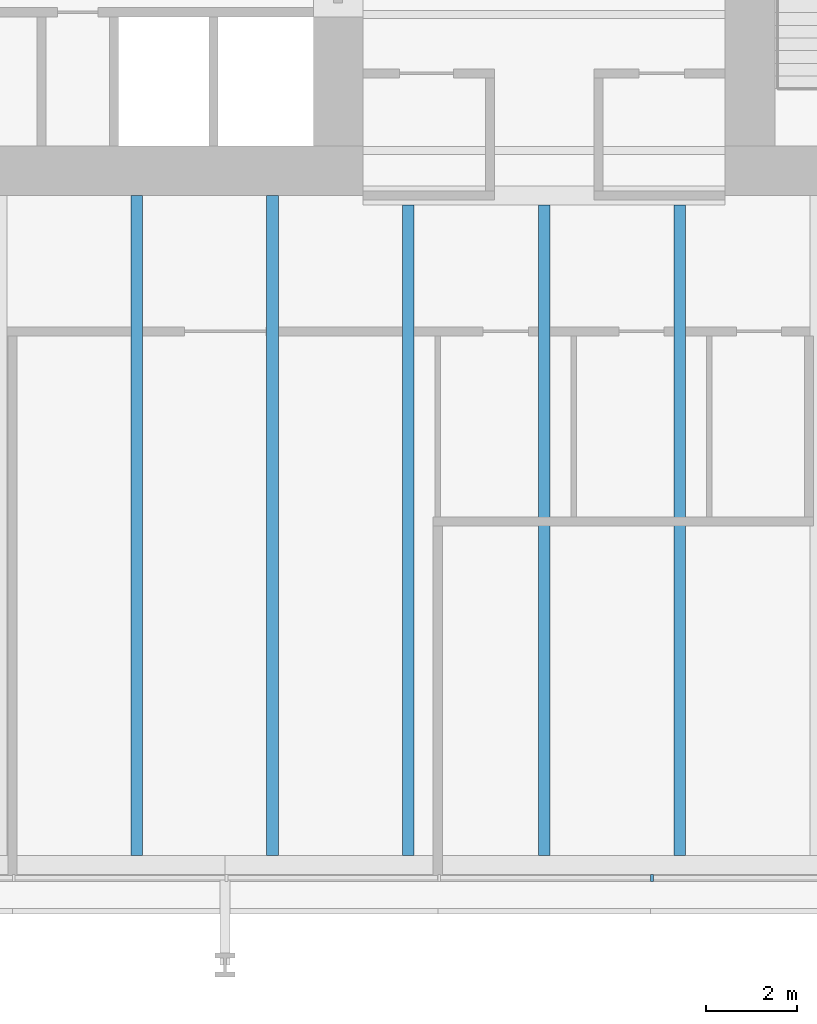
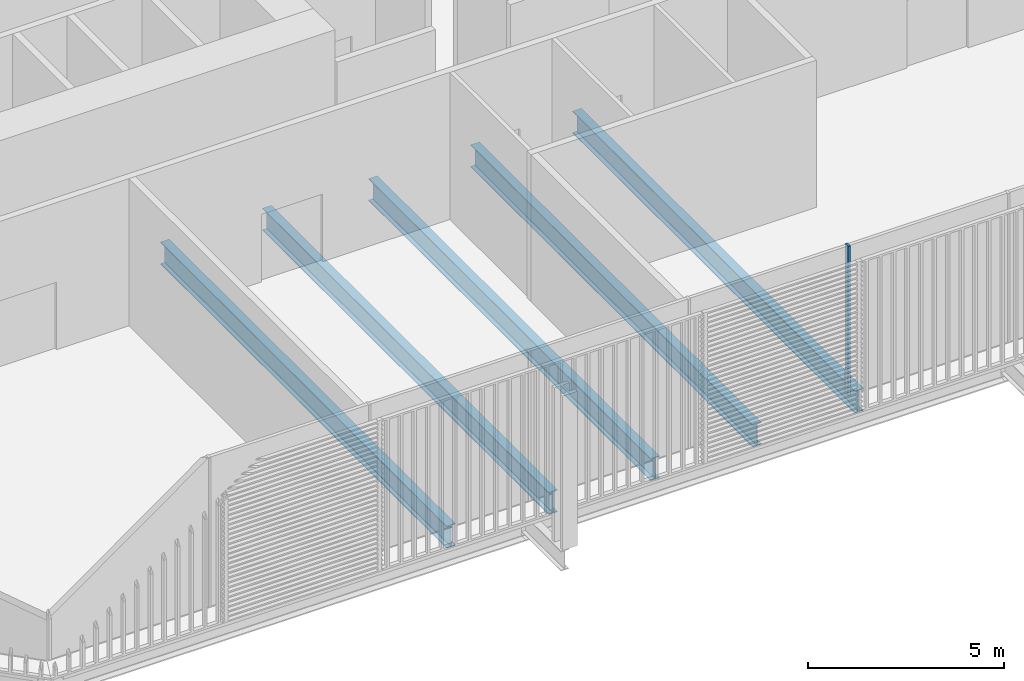
# One storey, part 4 of 22: 5 beams, 1 member, 1 element without a shape of its own.
"""IFC4 building model written with IfcOpenShell, lengths in metres."""

from ifc_helpers import new_model, si_unit, direction, frame, origin, origin_2d, place, context, subcontext, project, spatial, rectangle, i_section, extrude, material, layer, layer_set, material_profile, profile_set, type_object, element, aggregate, save


model = new_model("IFC4")

# Units and contexts
model_context = context("Model", 3, precision=1e-05, world=origin(), true_north=direction((0.0, 1.0)))
body_context = subcontext(model_context, "Body", "Model", "MODEL_VIEW")
ifc_project = project(units=[si_unit("LENGTHUNIT", "METRE"), si_unit("AREAUNIT", "SQUARE_METRE"), si_unit("VOLUMEUNIT", "CUBIC_METRE"), si_unit("PLANEANGLEUNIT", "RADIAN"), si_unit("MASSUNIT", "GRAM", prefix="KILO")], contexts=[model_context])

# Site, building, storey
site_placement = place(None, origin())
site = spatial("IfcSite", under=ifc_project, at=site_placement, CompositionType="ELEMENT")
building_placement = place(site_placement, origin())
building = spatial("IfcBuilding", under=site, at=building_placement, Name="Millrace Tower", CompositionType="ELEMENT")
storey_placement = place(building_placement, frame((0.0, 0.0, 25.699951171875)))
storey = spatial("IfcBuildingStorey", under=building, at=storey_placement, Name="L06", CompositionType="ELEMENT", Elevation=25.699951171875)

# Curtain wall, member
ifc_material_1 = material(Name="Aluminium and glass", Category="aluminium")
ifc_layer = layer(ifc_material_1, 0.14990234375)
ifc_layer_set = layer_set([ifc_layer], Name="Aluminium and glass")
curtain_wall_type = type_object("IfcCurtainWallType", Name="CW-2 data hall insulated curtain wall", PredefinedType="NOTDEFINED", material=ifc_layer_set)
curtain_wall_placement = place(storey_placement, origin())
curtain_wall = element("IfcCurtainWall", 1, at=curtain_wall_placement, inside=storey, type_object=curtain_wall_type, Name="Curtain wall A-F02 L06", PredefinedType="NOTDEFINED")
ifc_material_2 = material(Name="Aluminium", Category="aluminium")
ifc_material_profile_1 = material_profile(ifc_material_2, rectangle(XDim=0.06494140625, YDim=0.14990234375, at=origin_2d()))
ifc_profile_set_1 = profile_set([ifc_material_profile_1], Name="Aluminium")
member_type = type_object("IfcMemberType", Name="CW-2 data hall insulated curtain wall mullion", PredefinedType="MULLION", material=ifc_profile_set_1)
member_placement = place(storey_placement, frame((2.382568359375, -25.074951171875, 0.16015625), z_axis=(0.0, 0.0, 1.0), x_axis=(1.0, 0.0, 0.0)))
member = element("IfcMember", 2, at=member_placement, type_object=member_type, Name="CW2 mullion A-F02.6", PredefinedType="MULLION", context=body_context, shape_type="SweptSolid", body=[
    extrude(rectangle(XDim=0.06494140625, YDim=0.14990234375, at=origin_2d()), origin(), (0.0, 0.0, 1.0), 4.639892578125),
])
aggregate(curtain_wall, [member])

# Beams
ifc_material_3 = material(Name="Steel ASTM A992 Grade 50", Category="steel")
ifc_material_profile_2 = material_profile(ifc_material_3, i_section(OverallWidth=0.256591796875, OverallDepth=0.693359375, WebThickness=0.014404296875, FlangeThickness=0.023681640625, FilletRadius=0.01513671875, at=origin_2d()))
ifc_profile_set_2 = profile_set([ifc_material_profile_2], Name="Steel ASTM A992 Grade 50")
beam_type = type_object("IfcBeamType", Name="Floor beam W27x114", PredefinedType="JOIST", material=ifc_profile_set_2)
for number, where, z_axis, x_axis, name in (
    (3, (-9.0, -24.578369140625, -0.57177734375), (0.0, 1.0, 0.0), (-1.0, 0.0, 0.0), "BM-A-L06-S1-S045"),
    (4, (-6.0, -24.578369140625, -0.57177734375), (0.0, 1.0, 0.0), (-1.0, 0.0, 0.0), "BM-A-L06-S1-S047"),
):
    element("IfcBeam", number, at=place(storey_placement, frame(where, z_axis=z_axis, x_axis=x_axis)), inside=storey, type_object=beam_type, Name=name, PredefinedType="JOIST", context=body_context, shape_type="SweptSolid", body=[
        extrude(i_section(OverallWidth=0.256591796875, OverallDepth=0.693359375, WebThickness=0.014404296875, FlangeThickness=0.023681640625, FilletRadius=0.01513671875, at=origin_2d()), origin(), (0.0, 0.0, 1.0), 14.578369140625),
    ])
for number, where, z_axis, x_axis, name in (
    (5, (-3.0, -24.578369140625, -0.57177734375), (0.0, 1.0, 0.0), (-1.0, 0.0, 0.0), "BM-A-L06-S1-S049"),
    (6, (0.0, -24.578369140625, -0.57177734375), (0.0, 1.0, 0.0), (-1.0, 0.0, 0.0), "BM-A-L06-S1-S051"),
    (7, (3.0, -24.578369140625, -0.57177734375), (0.0, 1.0, 0.0), (-1.0, 0.0, 0.0), "BM-A-L06-S1-S053"),
):
    element("IfcBeam", number, at=place(storey_placement, frame(where, z_axis=z_axis, x_axis=x_axis)), inside=storey, type_object=beam_type, Name=name, PredefinedType="JOIST", context=body_context, shape_type="SweptSolid", body=[
        extrude(i_section(OverallWidth=0.256591796875, OverallDepth=0.693359375, WebThickness=0.014404296875, FlangeThickness=0.023681640625, FilletRadius=0.01513671875, at=origin_2d()), origin(), (0.0, 0.0, 1.0), 14.3662109375),
    ])

save(model, "model.ifc")
